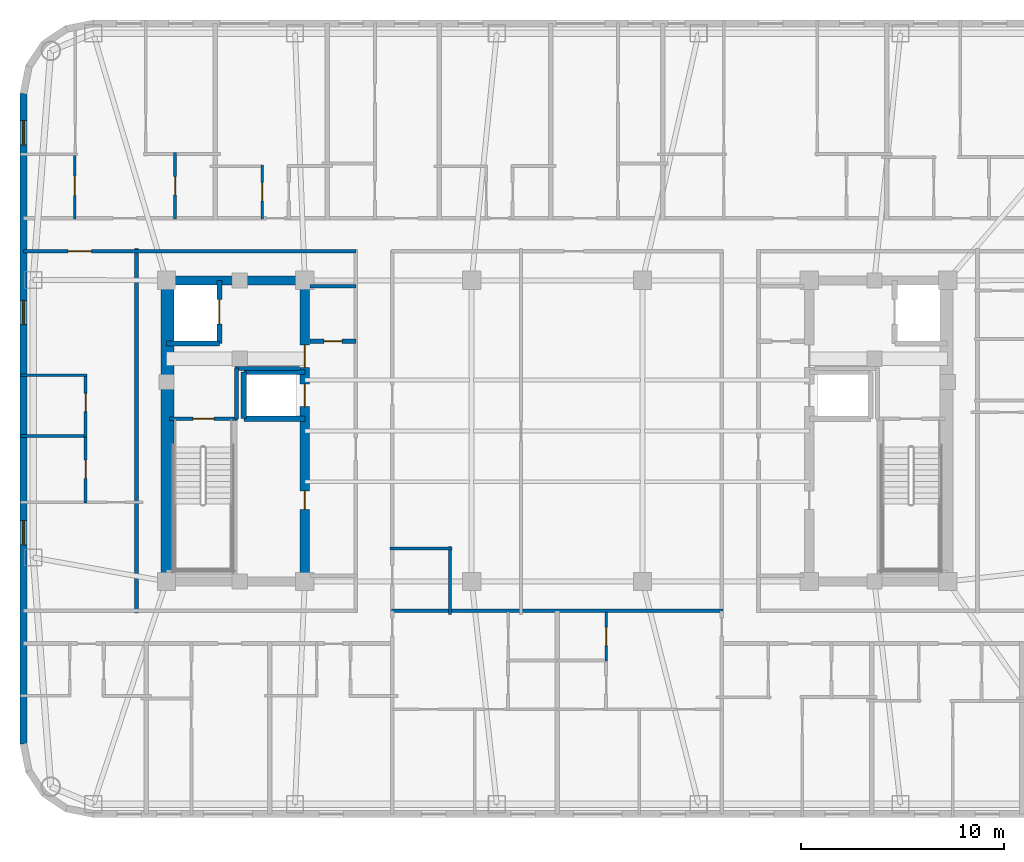
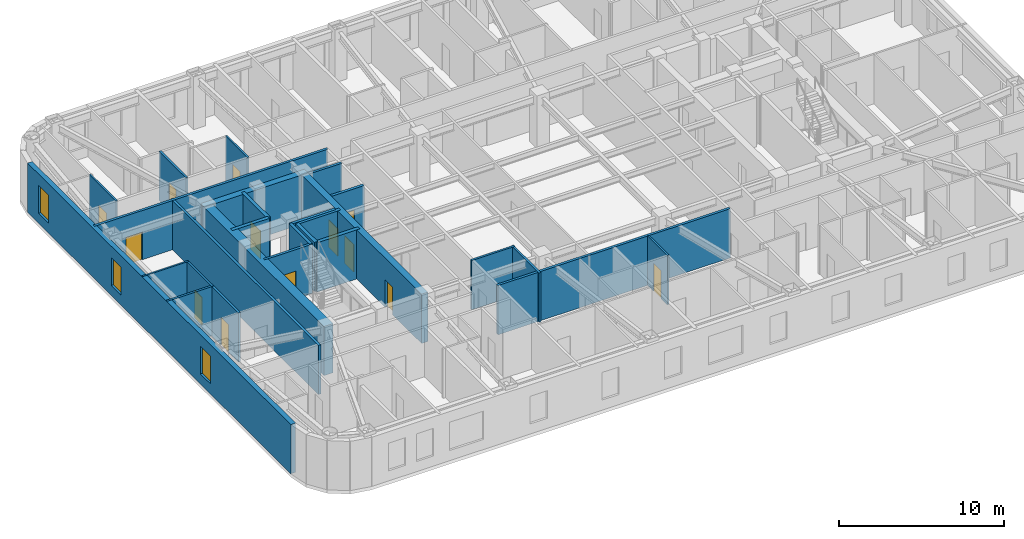
# One storey, part 4 of 11: 27 walls, 13 doors, 3 windows, 16 openings.
"""IFC4 building model written with IfcOpenShell, lengths in metres."""

from ifc_helpers import new_model, si_unit, direction, frame, frame_2d, origin, place, context, subcontext, project, spatial, rectangle, extrude, material, layer, layer_set, type_object, element, fill, save


model = new_model("IFC4")

# Units and contexts
model_context = context("Model", 3, precision=1e-05, world=origin(), true_north=direction((0.0, 1.0)))
body_context = subcontext(model_context, "Body", "Model", "MODEL_VIEW")
ifc_project = project(units=[si_unit("LENGTHUNIT", "METRE"), si_unit("AREAUNIT", "SQUARE_METRE"), si_unit("VOLUMEUNIT", "CUBIC_METRE"), si_unit("PLANEANGLEUNIT", "RADIAN"), si_unit("MASSUNIT", "GRAM", prefix="KILO")], contexts=[model_context])

# Site, building, storey
site_placement = place(None, origin())
site = spatial("IfcSite", under=ifc_project, at=site_placement, CompositionType="ELEMENT")
building_placement = place(site_placement, origin())
building = spatial("IfcBuilding", under=site, at=building_placement, Name="Voryun Gate Residences", CompositionType="ELEMENT")
storey_placement = place(building_placement, frame((0.0, 0.0, 239.199951171875)))
storey = spatial("IfcBuildingStorey", under=building, at=storey_placement, Name="L59", CompositionType="ELEMENT", Elevation=239.199951171875)

# Wall
ifc_material_1 = material(Name="Concrete C50/60", Category="concrete")
ifc_layer_1 = layer(ifc_material_1, 0.449951171875, Name="CW_CORE_450")
ifc_layer_set_1 = layer_set([ifc_layer_1], Name="Concrete C50/60")
wall_type_1 = type_object("IfcWallType", Name="CW_CORE_450", PredefinedType="SHEAR", material=ifc_layer_set_1)
wall_1_placement = place(storey_placement, frame((-19.425048828125, 7.39990234375, 0.0), z_axis=(0.0, 0.0, 1.0), x_axis=(1.0, 0.0, 0.0)))
element("IfcWall", 1, at=wall_1_placement, inside=storey, type_object=wall_type_1, Name="L59 Core shear wall CW-L59-WN", PredefinedType="SHEAR", context=body_context, shape_type="SweptSolid", body=[
    extrude(rectangle(XDim=7.25, YDim=0.449951171875, at=frame_2d((3.625, 0.0))), origin(), (0.0, 0.0, 1.0), 3.650146484375),
])

# Wall, openings, doors
wall_2_placement = place(storey_placement, frame((-12.39990234375, -7.39990234375, 0.0), z_axis=(0.0, 0.0, 1.0), x_axis=(0.0, 1.0, 0.0)))
wall_2 = element("IfcWall", 2, at=wall_2_placement, inside=storey, type_object=wall_type_1, Name="L59 Core shear wall CW-L59-WE", PredefinedType="SHEAR", context=body_context, shape_type="SweptSolid", body=[
    extrude(rectangle(XDim=14.7998046875, YDim=0.449951171875, at=frame_2d((7.39990234375, 0.0))), origin(), (0.0, 0.0, 1.0), 3.650146484375),
])
opening_1_placement = place(wall_2_placement, frame((8.60009765625, 0.0, 0.0)))
opening_1 = element("IfcOpeningElement", 3, at=opening_1_placement, cuts=wall_2, Name="Opening LD2", PredefinedType="OPENING", context=body_context, shape_type="SweptSolid", body=[
    extrude(rectangle(XDim=1.10009765625, YDim=2.050048828125, at=frame_2d((0.550048828125, 1.02490234375))), frame((0.0, 0.235107421875, 0.0), z_axis=(0.0, -1.0, 0.0), x_axis=(1.0, 0.0, 0.0)), (0.0, 0.0, 1.0), 0.469970703125),
])
opening_2_placement = place(wall_2_placement, frame((10.530029296875, 0.0, 0.0)))
opening_2 = element("IfcOpeningElement", 4, at=opening_2_placement, cuts=wall_2, Name="Opening D-FD60-2", PredefinedType="OPENING", context=body_context, shape_type="SweptSolid", body=[
    extrude(rectangle(XDim=1.10009765625, YDim=2.050048828125, at=frame_2d((0.550048828125, 1.02490234375))), frame((0.0, 0.235107421875, 0.0), z_axis=(0.0, -1.0, 0.0), x_axis=(1.0, 0.0, 0.0)), (0.0, 0.0, 1.0), 0.469970703125),
])
opening_3_placement = place(wall_2_placement, frame((3.550048828125, 0.0, 0.0)))
opening_3 = element("IfcOpeningElement", 5, at=opening_3_placement, cuts=wall_2, Name="Opening D-FD60-4", PredefinedType="OPENING", context=body_context, shape_type="SweptSolid", body=[
    extrude(rectangle(XDim=0.89990234375, YDim=2.050048828125, at=frame_2d((0.449951171875, 1.02490234375))), frame((0.0, 0.235107421875, 0.0), z_axis=(0.0, -1.0, 0.0), x_axis=(1.0, 0.0, 0.0)), (0.0, 0.0, 1.0), 0.469970703125),
])
ifc_material_2 = material(Name="Painted steel fire door", Category="steel")
door_type_1 = type_object("IfcDoorType", Name="DR_FD60_FFLOB_1100", OperationType="NOTDEFINED", PredefinedType="DOOR", material=ifc_material_2)
door_1_placement = place(opening_2_placement, origin())
door_1 = element("IfcDoor", 6, at=door_1_placement, inside=storey, type_object=door_type_1, Name="Door DR-L59-CLOB-W", OperationType="SINGLE_SWING_LEFT", OverallHeight=2.050048828125, OverallWidth=1.10009765625, PredefinedType="DOOR", context=body_context, shape_type="SweptSolid", body=[
    extrude(rectangle(XDim=1.10009765625, YDim=2.050048828125, at=frame_2d((0.550048828125, 1.02490234375))), frame((0.0, 0.02490234375, 0.0), z_axis=(0.0, -1.0, 0.0), x_axis=(1.0, 0.0, 0.0)), (0.0, 0.0, 1.0), 0.050048828125),
])
fill(opening_2, door_1)
ifc_material_3 = material(Name="Painted steel fire door", Category="steel")
door_type_2 = type_object("IfcDoorType", Name="DR_FD60_RISER_900", OperationType="NOTDEFINED", PredefinedType="DOOR", material=ifc_material_3)
door_2_placement = place(opening_3_placement, origin())
door_2 = element("IfcDoor", 7, at=door_2_placement, inside=storey, type_object=door_type_2, Name="Door DR-L59-RECW-HI", OperationType="SINGLE_SWING_LEFT", OverallHeight=2.050048828125, OverallWidth=0.89990234375, PredefinedType="DOOR", context=body_context, shape_type="SweptSolid", body=[
    extrude(rectangle(XDim=0.89990234375, YDim=2.050048828125, at=frame_2d((0.449951171875, 1.02490234375))), frame((0.0, 0.02490234375, 0.0), z_axis=(0.0, -1.0, 0.0), x_axis=(1.0, 0.0, 0.0)), (0.0, 0.0, 1.0), 0.050048828125),
])
fill(opening_3, door_2)
ifc_material_4 = material(Name="Anodised aluminium", Category="aluminium")
door_type_3 = type_object("IfcDoorType", Name="DR_LD_PASS_1100", OperationType="NOTDEFINED", PredefinedType="DOOR", material=ifc_material_4)
door_3_placement = place(opening_1_placement, origin())
door_3 = element("IfcDoor", 8, at=door_3_placement, inside=storey, type_object=door_type_3, Name="Lift EL-P7 sliding landing door L59", OperationType="SLIDING_TO_LEFT", OverallHeight=2.050048828125, OverallWidth=1.10009765625, PredefinedType="DOOR", context=body_context, shape_type="SweptSolid", body=[
    extrude(rectangle(XDim=1.10009765625, YDim=2.050048828125, at=frame_2d((0.550048828125, 1.02490234375))), frame((0.0, 0.02490234375, 0.0), z_axis=(0.0, -1.0, 0.0), x_axis=(1.0, 0.0, 0.0)), (0.0, 0.0, 1.0), 0.050048828125),
])
fill(opening_1, door_3)

# Wall
ifc_material_5 = material(Name="Concrete C60/75", Category="concrete")
ifc_layer_2 = layer(ifc_material_5, 0.64990234375, Name="CW_CORE_650")
ifc_layer_set_2 = layer_set([ifc_layer_2], Name="Concrete C60/75")
wall_type_2 = type_object("IfcWallType", Name="CW_CORE_650", PredefinedType="SHEAR", material=ifc_layer_set_2)
wall_3_placement = place(storey_placement, frame((-19.14501953125, -7.39990234375, 0.0), z_axis=(0.0, 0.0, 1.0), x_axis=(0.0, 1.0, 0.0)))
element("IfcWall", 9, at=wall_3_placement, inside=storey, type_object=wall_type_2, Name="L59 Core shear wall CW-L59-WW", PredefinedType="SHEAR", context=body_context, shape_type="SweptSolid", body=[
    extrude(rectangle(XDim=14.7998046875, YDim=0.64990234375, at=frame_2d((7.39990234375, 0.0))), origin(), (0.0, 0.0, 1.0), 3.650146484375),
])

# Wall, opening, door
ifc_material_6 = material(Name="Gypsum acoustic fireboard")
ifc_layer_3 = layer(ifc_material_6, 0.179931640625, Name="W_CORR_RATED_180")
ifc_layer_set_3 = layer_set([ifc_layer_3], Name="Gypsum acoustic fireboard")
wall_type_3 = type_object("IfcWallType", Name="W_CORR_RATED_180", PredefinedType="PARTITIONING", material=ifc_layer_set_3)
wall_4_placement = place(storey_placement, frame((-19.06005859375, 0.60009765625, 0.0), z_axis=(0.0, 0.0, 1.0), x_axis=(1.0, 0.0, 0.0)))
wall_4 = element("IfcWall", 10, at=wall_4_placement, inside=storey, type_object=wall_type_3, Name="Partition wall WP-L59-STV-W", PredefinedType="PARTITIONING", context=body_context, shape_type="SweptSolid", body=[
    extrude(rectangle(XDim=3.360107421875, YDim=0.179931640625, at=frame_2d((1.68017578125, 0.0))), origin(), (0.0, 0.0, 1.0), 3.650146484375),
])
opening_4_placement = place(wall_4_placement, frame((1.155029296875, 0.0, 0.0)))
opening_4 = element("IfcOpeningElement", 11, at=opening_4_placement, cuts=wall_4, Name="Opening D-FD60-1", PredefinedType="OPENING", context=body_context, shape_type="SweptSolid", body=[
    extrude(rectangle(XDim=1.050048828125, YDim=2.050048828125, at=frame_2d((0.52490234375, 1.02490234375))), frame((0.0, 0.099853515625, 0.0), z_axis=(0.0, -1.0, 0.0), x_axis=(1.0, 0.0, 0.0)), (0.0, 0.0, 1.0), 0.199951171875),
])
ifc_material_7 = material(Name="Painted steel fire door", Category="steel")
door_type_4 = type_object("IfcDoorType", Name="DR_FD60_STAIR_1050", OperationType="NOTDEFINED", PredefinedType="DOOR", material=ifc_material_7)
door_4_placement = place(opening_4_placement, origin())
door_4 = element("IfcDoor", 12, at=door_4_placement, inside=storey, type_object=door_type_4, Name="Door DR-L59-ST-W", OperationType="SINGLE_SWING_LEFT", OverallHeight=2.050048828125, OverallWidth=1.050048828125, PredefinedType="DOOR", context=body_context, shape_type="SweptSolid", body=[
    extrude(rectangle(XDim=1.050048828125, YDim=2.050048828125, at=frame_2d((0.52490234375, 1.02490234375))), frame((0.0, 0.02490234375, 0.0), z_axis=(0.0, -1.0, 0.0), x_axis=(1.0, 0.0, 0.0)), (0.0, 0.0, 1.0), 0.050048828125),
])
fill(opening_4, door_4)

# Wall
wall_5_placement = place(storey_placement, frame((-12.14990234375, 7.1201171875, 0.0), z_axis=(0.0, 0.0, 1.0), x_axis=(1.0, 0.0, 0.0)))
element("IfcWall", 13, at=wall_5_placement, inside=storey, type_object=wall_type_3, Name="Partition wall WP-L59-PLBN-W", PredefinedType="PARTITIONING", context=body_context, shape_type="SweptSolid", body=[
    extrude(rectangle(XDim=2.27001953125, YDim=0.179931640625, at=frame_2d((1.135009765625, 0.0))), origin(), (0.0, 0.0, 1.0), 3.650146484375),
])

# Wall, opening, door
wall_6_placement = place(storey_placement, frame((-26.22998046875, 8.840087890625, 0.0), z_axis=(0.0, 0.0, 1.0), x_axis=(1.0, 0.0, 0.0)))
wall_6 = element("IfcWall", 14, at=wall_6_placement, inside=storey, type_object=wall_type_3, Name="Partition wall WP-L59-CWING-WN", PredefinedType="PARTITIONING", context=body_context, shape_type="SweptSolid", body=[
    extrude(rectangle(XDim=16.35009765625, YDim=0.179931640625, at=frame_2d((8.175048828125, 0.0))), origin(), (0.0, 0.0, 1.0), 3.650146484375),
])
opening_5_placement = place(wall_6_placement, frame((2.19970703125, 0.0, 0.0)))
opening_5 = element("IfcOpeningElement", 15, at=opening_5_placement, cuts=wall_6, Name="Opening D-UNIT-1", PredefinedType="OPENING", context=body_context, shape_type="SweptSolid", body=[
    extrude(rectangle(XDim=1.14990234375, YDim=2.050048828125, at=frame_2d((0.574951171875, 1.02490234375))), frame((0.0, 0.099853515625, 0.0), z_axis=(0.0, -1.0, 0.0), x_axis=(1.0, 0.0, 0.0)), (0.0, 0.0, 1.0), 0.199951171875),
])
ifc_material_8 = material(Name="Armoured timber-clad fire door", Category="wood")
door_type_5 = type_object("IfcDoorType", Name="DR_UNIT_ENTRY_1150", OperationType="NOTDEFINED", PredefinedType="DOOR", material=ifc_material_8)
door_5_placement = place(opening_5_placement, origin())
door_5 = element("IfcDoor", 16, at=door_5_placement, inside=storey, type_object=door_type_5, Name="Door DR-L59-WE1N", OperationType="SINGLE_SWING_LEFT", OverallHeight=2.050048828125, OverallWidth=1.14990234375, PredefinedType="DOOR", context=body_context, shape_type="SweptSolid", body=[
    extrude(rectangle(XDim=1.14990234375, YDim=2.050048828125, at=frame_2d((0.574951171875, 1.02490234375))), frame((0.0, 0.02490234375, 0.0), z_axis=(0.0, -1.0, 0.0), x_axis=(1.0, 0.0, 0.0)), (0.0, 0.0, 1.0), 0.050048828125),
])
fill(opening_5, door_5)

# Walls
wall_7_placement = place(storey_placement, frame((-8.14990234375, -8.840087890625, 0.0), z_axis=(0.0, 0.0, 1.0), x_axis=(1.0, 0.0, 0.0)))
element("IfcWall", 17, at=wall_7_placement, inside=storey, type_object=wall_type_3, Name="Partition wall WP-L59-Z3S", PredefinedType="PARTITIONING", context=body_context, shape_type="SweptSolid", body=[
    extrude(rectangle(XDim=16.2998046875, YDim=0.179931640625, at=frame_2d((8.14990234375, 0.0))), origin(), (0.0, 0.0, 1.0), 3.650146484375),
])
wall_8_placement = place(storey_placement, frame((-20.669921875, -8.9599609375, 0.0), z_axis=(0.0, 0.0, 1.0), x_axis=(0.0, 1.0, 0.0)))
element("IfcWall", 18, at=wall_8_placement, inside=storey, type_object=wall_type_3, Name="Partition wall WP-L59-WCOR", PredefinedType="PARTITIONING", context=body_context, shape_type="SweptSolid", body=[
    extrude(rectangle(XDim=17.919921875, YDim=0.179931640625, at=frame_2d((8.9599609375, 0.0))), origin(), (0.0, 0.0, 1.0), 3.650146484375),
])

# Wall, openings, windows
ifc_material_9 = material(Name="Charcoal terracotta masonry", Category="masonry")
ifc_layer_4 = layer(ifc_material_9, 0.340087890625, Name="W_EXT_TERRACOTTA_340")
ifc_layer_set_4 = layer_set([ifc_layer_4], Name="Charcoal terracotta masonry")
wall_type_4 = type_object("IfcWallType", Name="W_EXT_TERRACOTTA_340", PredefinedType="ELEMENTEDWALL", material=ifc_layer_set_4)
wall_9_placement = place(storey_placement, frame((-26.22998046875, -15.38330078125, 0.0), z_axis=(0.0, 0.0, 1.0), x_axis=(0.0, 1.0, 0.0)))
wall_9 = element("IfcWall", 19, at=wall_9_placement, inside=storey, type_object=wall_type_4, Name="Exterior wall WEXT-L59-06", PredefinedType="ELEMENTEDWALL", context=body_context, shape_type="SweptSolid", body=[
    extrude(rectangle(XDim=31.966552734375, YDim=0.340087890625, at=frame_2d((15.9833984375, 0.0))), origin(), (0.0, 0.0, 1.0), 3.650146484375),
])
opening_6_placement = place(wall_9_placement, frame((29.431396484375, 0.0, 0.75)))
opening_6 = element("IfcOpeningElement", 20, at=opening_6_placement, cuts=wall_9, Name="Opening WN6", PredefinedType="OPENING", context=body_context, shape_type="SweptSolid", body=[
    extrude(rectangle(XDim=1.199951171875, YDim=2.050048828125, at=frame_2d((0.60009765625, 1.02490234375))), frame((0.0, 0.179931640625, 0.0), z_axis=(0.0, -1.0, 0.0), x_axis=(1.0, 0.0, 0.0)), (0.0, 0.0, 1.0), 0.360107421875),
])
opening_7_placement = place(wall_9_placement, frame((20.603271484375, 0.0, 0.75)))
opening_7 = element("IfcOpeningElement", 21, at=opening_7_placement, cuts=wall_9, Name="Opening WN6", PredefinedType="OPENING", context=body_context, shape_type="SweptSolid", body=[
    extrude(rectangle(XDim=1.199951171875, YDim=2.050048828125, at=frame_2d((0.60009765625, 1.02490234375))), frame((0.0, 0.179931640625, 0.0), z_axis=(0.0, -1.0, 0.0), x_axis=(1.0, 0.0, 0.0)), (0.0, 0.0, 1.0), 0.360107421875),
])
opening_8_placement = place(wall_9_placement, frame((9.7783203125, 0.0, 0.75)))
opening_8 = element("IfcOpeningElement", 22, at=opening_8_placement, cuts=wall_9, Name="Opening WN6", PredefinedType="OPENING", context=body_context, shape_type="SweptSolid", body=[
    extrude(rectangle(XDim=1.199951171875, YDim=2.050048828125, at=frame_2d((0.60009765625, 1.02490234375))), frame((0.0, 0.179931640625, 0.0), z_axis=(0.0, -1.0, 0.0), x_axis=(1.0, 0.0, 0.0)), (0.0, 0.0, 1.0), 0.360107421875),
])
ifc_material_10 = material(Name="Laminated low-E glass", Category="glass")
window_type = type_object("IfcWindowType", Name="WN_POD_SLOT_1200", PartitioningType="SINGLE_PANEL", PredefinedType="WINDOW", material=ifc_material_10)
window_1_placement = place(opening_6_placement, origin())
window_1 = element("IfcWindow", 23, at=window_1_placement, inside=storey, type_object=window_type, Name="Window WN-L59-DWFIX-02", OverallHeight=2.050048828125, OverallWidth=1.199951171875, PartitioningType="SINGLE_PANEL", PredefinedType="WINDOW", context=body_context, shape_type="SweptSolid", body=[
    extrude(rectangle(XDim=1.199951171875, YDim=2.050048828125, at=frame_2d((0.60009765625, 1.02490234375))), frame((0.0, 0.030029296875, 0.0), z_axis=(0.0, -1.0, 0.0), x_axis=(1.0, 0.0, 0.0)), (0.0, 0.0, 1.0), 0.06005859375),
])
fill(opening_6, window_1)
window_2_placement = place(opening_7_placement, origin())
window_2 = element("IfcWindow", 24, at=window_2_placement, inside=storey, type_object=window_type, Name="Window WN-L59-DWFIX-27", OverallHeight=2.050048828125, OverallWidth=1.199951171875, PartitioningType="SINGLE_PANEL", PredefinedType="WINDOW", context=body_context, shape_type="SweptSolid", body=[
    extrude(rectangle(XDim=1.199951171875, YDim=2.050048828125, at=frame_2d((0.60009765625, 1.02490234375))), frame((0.0, 0.030029296875, 0.0), z_axis=(0.0, -1.0, 0.0), x_axis=(1.0, 0.0, 0.0)), (0.0, 0.0, 1.0), 0.06005859375),
])
fill(opening_7, window_2)
window_3_placement = place(opening_8_placement, origin())
window_3 = element("IfcWindow", 25, at=window_3_placement, inside=storey, type_object=window_type, Name="Window WN-L59-DWFIX-28", OverallHeight=2.050048828125, OverallWidth=1.199951171875, PartitioningType="SINGLE_PANEL", PredefinedType="WINDOW", context=body_context, shape_type="SweptSolid", body=[
    extrude(rectangle(XDim=1.199951171875, YDim=2.050048828125, at=frame_2d((0.60009765625, 1.02490234375))), frame((0.0, 0.030029296875, 0.0), z_axis=(0.0, -1.0, 0.0), x_axis=(1.0, 0.0, 0.0)), (0.0, 0.0, 1.0), 0.06005859375),
])
fill(opening_8, window_3)

# Walls
ifc_material_11 = material(Name="Concrete C40/50", Category="concrete")
ifc_layer_5 = layer(ifc_material_11, 0.199951171875, Name="W_FF_LOBBY_200")
ifc_layer_set_5 = layer_set([ifc_layer_5], Name="Concrete C40/50")
wall_type_5 = type_object("IfcWallType", Name="W_FF_LOBBY_200", PredefinedType="PARTITIONING", material=ifc_layer_set_5)
wall_10_placement = place(storey_placement, frame((-15.760009765625, 0.580078125, 0.0), z_axis=(0.0, 0.0, 1.0), x_axis=(0.0, 1.0, 0.0)))
element("IfcWall", 26, at=wall_10_placement, inside=storey, type_object=wall_type_5, Name="Partition wall WP-L59-FFP0-W", PredefinedType="PARTITIONING", context=body_context, shape_type="SweptSolid", body=[
    extrude(rectangle(XDim=2.52001953125, YDim=0.199951171875, at=frame_2d((1.260009765625, 0.0))), origin(), (0.0, 0.0, 1.0), 3.650146484375),
])
wall_11_placement = place(storey_placement, frame((-15.820068359375, 3.06005859375, 0.0), z_axis=(0.0, 0.0, 1.0), x_axis=(1.0, 0.0, 0.0)))
element("IfcWall", 27, at=wall_11_placement, inside=storey, type_object=wall_type_5, Name="Partition wall WP-L59-FFPS-W", PredefinedType="PARTITIONING", context=body_context, shape_type="SweptSolid", body=[
    extrude(rectangle(XDim=3.16015625, YDim=0.199951171875, at=frame_2d((1.580078125, 0.0))), origin(), (0.0, 0.0, 1.0), 3.650146484375),
])

# Wall, opening, door
wall_12_placement = place(storey_placement, frame((-12.14990234375, 4.409912109375, 0.0), z_axis=(0.0, 0.0, 1.0), x_axis=(1.0, 0.0, 0.0)))
wall_12 = element("IfcWall", 28, at=wall_12_placement, inside=storey, type_object=wall_type_5, Name="Partition wall WP-L59-CSFLKS-W", PredefinedType="PARTITIONING", context=body_context, shape_type="SweptSolid", body=[
    extrude(rectangle(XDim=2.27001953125, YDim=0.199951171875, at=frame_2d((1.135009765625, 0.0))), origin(), (0.0, 0.0, 1.0), 3.650146484375),
])
opening_9_placement = place(wall_12_placement, frame((0.68505859375, 0.0, 0.0)))
opening_9 = element("IfcOpeningElement", 29, at=opening_9_placement, cuts=wall_12, Name="Opening D-FD60-4", PredefinedType="OPENING", context=body_context, shape_type="SweptSolid", body=[
    extrude(rectangle(XDim=0.89990234375, YDim=2.050048828125, at=frame_2d((0.449951171875, 1.02490234375))), frame((0.0, 0.110107421875, 0.0), z_axis=(0.0, -1.0, 0.0), x_axis=(1.0, 0.0, 0.0)), (0.0, 0.0, 1.0), 0.219970703125),
])
door_6_placement = place(opening_9_placement, origin())
door_6 = element("IfcDoor", 30, at=door_6_placement, inside=storey, type_object=door_type_2, Name="Door DR-L59-CSFLK-W", OperationType="SINGLE_SWING_LEFT", OverallHeight=2.050048828125, OverallWidth=0.89990234375, PredefinedType="DOOR", context=body_context, shape_type="SweptSolid", body=[
    extrude(rectangle(XDim=0.89990234375, YDim=2.050048828125, at=frame_2d((0.449951171875, 1.02490234375))), frame((0.0, 0.02490234375, 0.0), z_axis=(0.0, -1.0, 0.0), x_axis=(1.0, 0.0, 0.0)), (0.0, 0.0, 1.0), 0.050048828125),
])
fill(opening_9, door_6)

# Wall
ifc_material_12 = material(Name="Concrete C50/60", Category="concrete")
ifc_layer_6 = layer(ifc_material_12, 0.25, Name="W_SHAFT_RC250")
ifc_layer_set_6 = layer_set([ifc_layer_6], Name="Concrete C50/60")
wall_type_6 = type_object("IfcWallType", Name="W_SHAFT_RC250", PredefinedType="SOLIDWALL", material=ifc_layer_set_6)
wall_13_placement = place(storey_placement, frame((-19.199951171875, 4.300048828125, 0.0), z_axis=(0.0, 0.0, 1.0), x_axis=(1.0, 0.0, 0.0)))
element("IfcWall", 31, at=wall_13_placement, inside=storey, type_object=wall_type_6, Name="Lift shaft wall WSH-L59-EL-FF-W1-S", PredefinedType="SOLIDWALL", context=body_context, shape_type="SweptSolid", body=[
    extrude(rectangle(XDim=2.599853515625, YDim=0.25, at=frame_2d((1.2998046875, 0.0))), origin(), (0.0, 0.0, 1.0), 3.650146484375),
])

# Wall, opening, door
wall_14_placement = place(storey_placement, frame((-16.60009765625, 4.300048828125, 0.0), z_axis=(0.0, 0.0, 1.0), x_axis=(0.0, 1.0, 0.0)))
wall_14 = element("IfcWall", 32, at=wall_14_placement, inside=storey, type_object=wall_type_6, Name="Lift shaft wall WSH-L59-EL-FF-W1-E", PredefinedType="SOLIDWALL", context=body_context, shape_type="SweptSolid", body=[
    extrude(rectangle(XDim=3.099853515625, YDim=0.25, at=frame_2d((1.5498046875, 0.0))), origin(), (0.0, 0.0, 1.0), 3.650146484375),
])
opening_10_placement = place(wall_14_placement, frame((0.949951171875, 0.0, 0.0)))
opening_10 = element("IfcOpeningElement", 33, at=opening_10_placement, cuts=wall_14, Name="Opening LD1", PredefinedType="OPENING", context=body_context, shape_type="SweptSolid", body=[
    extrude(rectangle(XDim=1.199951171875, YDim=2.050048828125, at=frame_2d((0.60009765625, 1.02490234375))), frame((0.0, 0.135009765625, 0.0), z_axis=(0.0, -1.0, 0.0), x_axis=(1.0, 0.0, 0.0)), (0.0, 0.0, 1.0), 0.27001953125),
])
ifc_material_13 = material(Name="Anodised aluminium", Category="aluminium")
door_type_6 = type_object("IfcDoorType", Name="DR_LD_FF_1200", OperationType="NOTDEFINED", PredefinedType="DOOR", material=ifc_material_13)
door_7_placement = place(opening_10_placement, origin())
door_7 = element("IfcDoor", 34, at=door_7_placement, inside=storey, type_object=door_type_6, Name="Lift EL-FF-W1 sliding landing door L59", OperationType="SLIDING_TO_LEFT", OverallHeight=2.050048828125, OverallWidth=1.199951171875, PredefinedType="DOOR", context=body_context, shape_type="SweptSolid", body=[
    extrude(rectangle(XDim=1.199951171875, YDim=2.050048828125, at=frame_2d((0.60009765625, 1.02490234375))), frame((0.0, 0.02490234375, 0.0), z_axis=(0.0, -1.0, 0.0), x_axis=(1.0, 0.0, 0.0)), (0.0, 0.0, 1.0), 0.050048828125),
])
fill(opening_10, door_7)

# Walls
for number, where, z_axis, x_axis, name in (
    (35, (-15.39990234375, 0.60009765625, 0.0), (0.0, 0.0, 1.0), (1.0, 0.0, 0.0), "Lift shaft wall WSH-L59-EL-P7-S"),
    (36, (-12.39990234375, 2.89990234375, 0.0), (0.0, 0.0, 1.0), (-1.0, 0.0, 0.0), "Lift shaft wall WSH-L59-EL-P7-N"),
):
    element("IfcWall", number, at=place(storey_placement, frame(where, z_axis=z_axis, x_axis=x_axis)), inside=storey, type_object=wall_type_6, Name=name, PredefinedType="SOLIDWALL", context=body_context, shape_type="SweptSolid", body=[
        extrude(rectangle(XDim=3.0, YDim=0.25, at=frame_2d((1.5, 0.0))), origin(), (0.0, 0.0, 1.0), 3.650146484375),
    ])
wall_15_placement = place(storey_placement, frame((-15.39990234375, 2.89990234375, 0.0), z_axis=(0.0, 0.0, 1.0), x_axis=(0.0, -1.0, 0.0)))
element("IfcWall", 37, at=wall_15_placement, inside=storey, type_object=wall_type_6, Name="Lift shaft wall WSH-L59-EL-P7-W", PredefinedType="SOLIDWALL", context=body_context, shape_type="SweptSolid", body=[
    extrude(rectangle(XDim=2.2998046875, YDim=0.25, at=frame_2d((1.14990234375, 0.0))), origin(), (0.0, 0.0, 1.0), 3.650146484375),
])

# Wall, opening, door
ifc_material_14 = material(Name="Gypsum acoustic partition")
ifc_layer_7 = layer(ifc_material_14, 0.125, Name="W_UNIT_PART_125")
ifc_layer_set_7 = layer_set([ifc_layer_7], Name="Gypsum acoustic partition")
wall_type_7 = type_object("IfcWallType", Name="W_UNIT_PART_125", PredefinedType="PARTITIONING", material=ifc_layer_set_7)
wall_16_placement = place(storey_placement, frame((-23.705078125, 10.429931640625, 0.0), z_axis=(0.0, 0.0, 1.0), x_axis=(0.0, 1.0, 0.0)))
wall_16 = element("IfcWall", 38, at=wall_16_placement, inside=storey, type_object=wall_type_7, Name="Partition wall WP-L59-N1-IVK", PredefinedType="PARTITIONING", context=body_context, shape_type="SweptSolid", body=[
    extrude(rectangle(XDim=3.235595703125, YDim=0.125, at=frame_2d((1.61767578125, 0.0))), origin(), (0.0, 0.0, 1.0), 3.650146484375),
])
opening_11_placement = place(wall_16_placement, frame((1.151611328125, 0.0, 0.0)))
opening_11 = element("IfcOpeningElement", 39, at=opening_11_placement, cuts=wall_16, Name="Opening D-INT-1", PredefinedType="OPENING", context=body_context, shape_type="SweptSolid", body=[
    extrude(rectangle(XDim=0.949951171875, YDim=2.050048828125, at=frame_2d((0.47509765625, 1.02490234375))), frame((0.0, 0.072509765625, 0.0), z_axis=(0.0, -1.0, 0.0), x_axis=(1.0, 0.0, 0.0)), (0.0, 0.0, 1.0), 0.14501953125),
])
ifc_material_15 = material(Name="Architectural oak veneer")
door_type_7 = type_object("IfcDoorType", Name="DR_INT_ROOM_950", OperationType="NOTDEFINED", PredefinedType="DOOR", material=ifc_material_15)
door_8_placement = place(opening_11_placement, origin())
door_8 = element("IfcDoor", 40, at=door_8_placement, inside=storey, type_object=door_type_7, Name="Door DR-L59-N1-DK", OperationType="SINGLE_SWING_LEFT", OverallHeight=2.050048828125, OverallWidth=0.949951171875, PredefinedType="DOOR", context=body_context, shape_type="SweptSolid", body=[
    extrude(rectangle(XDim=0.949951171875, YDim=2.050048828125, at=frame_2d((0.47509765625, 1.02490234375))), frame((0.0, 0.02490234375, 0.0), z_axis=(0.0, -1.0, 0.0), x_axis=(1.0, 0.0, 0.0)), (0.0, 0.0, 1.0), 0.050048828125),
])
fill(opening_11, door_8)

wall_17_placement = place(storey_placement, frame((-14.489990234375, 10.429931640625, 0.0), z_axis=(0.0, 0.0, 1.0), x_axis=(0.0, 1.0, 0.0)))
wall_17 = element("IfcWall", 41, at=wall_17_placement, inside=storey, type_object=wall_type_7, Name="Partition wall WP-L59-N2-CVK", PredefinedType="PARTITIONING", context=body_context, shape_type="SweptSolid", body=[
    extrude(rectangle(XDim=2.650146484375, YDim=0.125, at=frame_2d((1.3251953125, 0.0))), origin(), (0.0, 0.0, 1.0), 3.650146484375),
])
opening_12_placement = place(wall_17_placement, frame((0.875, 0.0, 0.0)))
opening_12 = element("IfcOpeningElement", 42, at=opening_12_placement, cuts=wall_17, Name="Opening D-INT-2", PredefinedType="OPENING", context=body_context, shape_type="SweptSolid", body=[
    extrude(rectangle(XDim=0.89990234375, YDim=2.050048828125, at=frame_2d((0.449951171875, 1.02490234375))), frame((0.0, 0.072509765625, 0.0), z_axis=(0.0, -1.0, 0.0), x_axis=(1.0, 0.0, 0.0)), (0.0, 0.0, 1.0), 0.14501953125),
])
ifc_material_16 = material(Name="Architectural oak veneer")
door_type_8 = type_object("IfcDoorType", Name="DR_INT_BATH_900", OperationType="NOTDEFINED", PredefinedType="DOOR", material=ifc_material_16)
door_9_placement = place(opening_12_placement, origin())
door_9 = element("IfcDoor", 43, at=door_9_placement, inside=storey, type_object=door_type_8, Name="Door DR-L59-N2-DK", OperationType="SINGLE_SWING_LEFT", OverallHeight=2.050048828125, OverallWidth=0.89990234375, PredefinedType="DOOR", context=body_context, shape_type="SweptSolid", body=[
    extrude(rectangle(XDim=0.89990234375, YDim=2.050048828125, at=frame_2d((0.449951171875, 1.02490234375))), frame((0.0, 0.02490234375, 0.0), z_axis=(0.0, -1.0, 0.0), x_axis=(1.0, 0.0, 0.0)), (0.0, 0.0, 1.0), 0.050048828125),
])
fill(opening_12, door_9)

wall_18_placement = place(storey_placement, frame((2.409912109375, -11.31005859375, 0.0), z_axis=(0.0, 0.0, 1.0), x_axis=(0.0, 1.0, 0.0)))
wall_18 = element("IfcWall", 44, at=wall_18_placement, inside=storey, type_object=wall_type_7, Name="Partition wall WP-L59-SC2-VK1", PredefinedType="PARTITIONING", context=body_context, shape_type="SweptSolid", body=[
    extrude(rectangle(XDim=2.41015625, YDim=0.125, at=frame_2d((1.205078125, 0.0))), origin(), (0.0, 0.0, 1.0), 3.650146484375),
])
opening_13_placement = place(wall_18_placement, frame((0.7548828125, 0.0, 0.0)))
opening_13 = element("IfcOpeningElement", 45, at=opening_13_placement, cuts=wall_18, Name="Opening D-INT-2", PredefinedType="OPENING", context=body_context, shape_type="SweptSolid", body=[
    extrude(rectangle(XDim=0.89990234375, YDim=2.050048828125, at=frame_2d((0.449951171875, 1.02490234375))), frame((0.0, 0.072509765625, 0.0), z_axis=(0.0, -1.0, 0.0), x_axis=(1.0, 0.0, 0.0)), (0.0, 0.0, 1.0), 0.14501953125),
])
door_10_placement = place(opening_13_placement, origin())
door_10 = element("IfcDoor", 46, at=door_10_placement, inside=storey, type_object=door_type_8, Name="Door DR-L59-SC2-DK", OperationType="SINGLE_SWING_LEFT", OverallHeight=2.050048828125, OverallWidth=0.89990234375, PredefinedType="DOOR", context=body_context, shape_type="SweptSolid", body=[
    extrude(rectangle(XDim=0.89990234375, YDim=2.050048828125, at=frame_2d((0.449951171875, 1.02490234375))), frame((0.0, 0.02490234375, 0.0), z_axis=(0.0, -1.0, 0.0), x_axis=(1.0, 0.0, 0.0)), (0.0, 0.0, 1.0), 0.050048828125),
])
fill(opening_13, door_10)

# Walls
wall_19_placement = place(storey_placement, frame((-26.3798828125, 2.739990234375, 0.0), z_axis=(0.0, 0.0, 1.0), x_axis=(1.0, 0.0, 0.0)))
element("IfcWall", 47, at=wall_19_placement, inside=storey, type_object=wall_type_7, Name="Partition wall WP-L59-W1-HZ1", PredefinedType="PARTITIONING", context=body_context, shape_type="SweptSolid", body=[
    extrude(rectangle(XDim=3.284912109375, YDim=0.125, at=frame_2d((1.642578125, 0.0))), origin(), (0.0, 0.0, 1.0), 3.650146484375),
])
ifc_material_17 = material(Name="Gypsum moisture-resistant partition")
ifc_layer_8 = layer(ifc_material_17, 0.14990234375, Name="W_WET_PLUMB_150")
ifc_layer_set_8 = layer_set([ifc_layer_8], Name="Gypsum moisture-resistant partition")
wall_type_8 = type_object("IfcWallType", Name="W_WET_PLUMB_150", PredefinedType="PLUMBINGWALL", material=ifc_layer_set_8)
wall_20_placement = place(storey_placement, frame((-5.260009765625, -9.02001953125, 0.0), z_axis=(0.0, 0.0, 1.0), x_axis=(0.0, 1.0, 0.0)))
element("IfcWall", 48, at=wall_20_placement, inside=storey, type_object=wall_type_8, Name="Partition wall WP-L59-CMWCX", PredefinedType="PLUMBINGWALL", context=body_context, shape_type="SweptSolid", body=[
    extrude(rectangle(XDim=3.35009765625, YDim=0.14990234375, at=frame_2d((1.675048828125, 0.0))), origin(), (0.0, 0.0, 1.0), 3.650146484375),
])
wall_21_placement = place(storey_placement, frame((-8.2099609375, -5.77001953125, 0.0), z_axis=(0.0, 0.0, 1.0), x_axis=(1.0, 0.0, 0.0)))
element("IfcWall", 49, at=wall_21_placement, inside=storey, type_object=wall_type_8, Name="Partition wall WP-L59-CMWCY", PredefinedType="PLUMBINGWALL", context=body_context, shape_type="SweptSolid", body=[
    extrude(rectangle(XDim=3.050048828125, YDim=0.14990234375, at=frame_2d((1.52490234375, 0.0))), origin(), (0.0, 0.0, 1.0), 3.650146484375),
])

# Wall, opening, door
wall_22_placement = place(storey_placement, frame((-18.780029296875, 10.429931640625, 0.0), z_axis=(0.0, 0.0, 1.0), x_axis=(0.0, 1.0, 0.0)))
wall_22 = element("IfcWall", 50, at=wall_22_placement, inside=storey, type_object=wall_type_8, Name="Partition wall WP-L59-N1-IVB", PredefinedType="PLUMBINGWALL", context=body_context, shape_type="SweptSolid", body=[
    extrude(rectangle(XDim=3.253173828125, YDim=0.14990234375, at=frame_2d((1.62646484375, 0.0))), origin(), (0.0, 0.0, 1.0), 3.650146484375),
])
opening_14_placement = place(wall_22_placement, frame((1.176513671875, 0.0, 0.0)))
opening_14 = element("IfcOpeningElement", 51, at=opening_14_placement, cuts=wall_22, Name="Opening D-INT-2", PredefinedType="OPENING", context=body_context, shape_type="SweptSolid", body=[
    extrude(rectangle(XDim=0.89990234375, YDim=2.050048828125, at=frame_2d((0.449951171875, 1.02490234375))), frame((0.0, 0.0849609375, 0.0), z_axis=(0.0, -1.0, 0.0), x_axis=(1.0, 0.0, 0.0)), (0.0, 0.0, 1.0), 0.169921875),
])
door_11_placement = place(opening_14_placement, origin())
door_11 = element("IfcDoor", 52, at=door_11_placement, inside=storey, type_object=door_type_8, Name="Door DR-L59-N1-DB", OperationType="SINGLE_SWING_RIGHT", OverallHeight=2.050048828125, OverallWidth=0.89990234375, PredefinedType="DOOR", context=body_context, shape_type="SweptSolid", body=[
    extrude(rectangle(XDim=0.89990234375, YDim=2.050048828125, at=frame_2d((0.449951171875, 1.02490234375))), frame((0.0, 0.02490234375, 0.0), z_axis=(0.0, -1.0, 0.0), x_axis=(1.0, 0.0, 0.0)), (0.0, 0.0, 1.0), 0.050048828125),
])
fill(opening_14, door_11)

# Wall
wall_23_placement = place(storey_placement, frame((-26.3798828125, -0.260009765625, 0.0), z_axis=(0.0, 0.0, 1.0), x_axis=(1.0, 0.0, 0.0)))
element("IfcWall", 53, at=wall_23_placement, inside=storey, type_object=wall_type_8, Name="Partition wall WP-L59-W1-HZ2", PredefinedType="PLUMBINGWALL", context=body_context, shape_type="SweptSolid", body=[
    extrude(rectangle(XDim=3.284912109375, YDim=0.14990234375, at=frame_2d((1.642578125, 0.0))), origin(), (0.0, 0.0, 1.0), 3.650146484375),
])

# Wall, opening, door
wall_24_placement = place(storey_placement, frame((-23.175048828125, -3.550048828125, 0.0), z_axis=(0.0, 0.0, 1.0), x_axis=(0.0, 1.0, 0.0)))
wall_24 = element("IfcWall", 54, at=wall_24_placement, inside=storey, type_object=wall_type_8, Name="Partition wall WP-L59-W1-VKB1", PredefinedType="PLUMBINGWALL", context=body_context, shape_type="SweptSolid", body=[
    extrude(rectangle(XDim=3.330078125, YDim=0.14990234375, at=frame_2d((1.6650390625, 0.0))), origin(), (0.0, 0.0, 1.0), 3.650146484375),
])
opening_15_placement = place(wall_24_placement, frame((1.215087890625, 0.0, 0.0)))
opening_15 = element("IfcOpeningElement", 55, at=opening_15_placement, cuts=wall_24, Name="Opening D-INT-2", PredefinedType="OPENING", context=body_context, shape_type="SweptSolid", body=[
    extrude(rectangle(XDim=0.89990234375, YDim=2.050048828125, at=frame_2d((0.449951171875, 1.02490234375))), frame((0.0, 0.0849609375, 0.0), z_axis=(0.0, -1.0, 0.0), x_axis=(1.0, 0.0, 0.0)), (0.0, 0.0, 1.0), 0.169921875),
])
door_12_placement = place(opening_15_placement, origin())
door_12 = element("IfcDoor", 56, at=door_12_placement, inside=storey, type_object=door_type_8, Name="Door DR-L59-W1-DB", OperationType="SINGLE_SWING_LEFT", OverallHeight=2.050048828125, OverallWidth=0.89990234375, PredefinedType="DOOR", context=body_context, shape_type="SweptSolid", body=[
    extrude(rectangle(XDim=0.89990234375, YDim=2.050048828125, at=frame_2d((0.449951171875, 1.02490234375))), frame((0.0, 0.02490234375, 0.0), z_axis=(0.0, -1.0, 0.0), x_axis=(1.0, 0.0, 0.0)), (0.0, 0.0, 1.0), 0.050048828125),
])
fill(opening_15, door_12)

wall_25_placement = place(storey_placement, frame((-23.175048828125, -0.300048828125, 0.0), z_axis=(0.0, 0.0, 1.0), x_axis=(0.0, 1.0, 0.0)))
wall_25 = element("IfcWall", 57, at=wall_25_placement, inside=storey, type_object=wall_type_8, Name="Partition wall WP-L59-W1-VKB2", PredefinedType="PLUMBINGWALL", context=body_context, shape_type="SweptSolid", body=[
    extrude(rectangle(XDim=3.080078125, YDim=0.14990234375, at=frame_2d((1.5400390625, 0.0))), origin(), (0.0, 0.0, 1.0), 3.650146484375),
])
opening_16_placement = place(wall_25_placement, frame((1.243896484375, 0.0, 0.0)))
opening_16 = element("IfcOpeningElement", 58, at=opening_16_placement, cuts=wall_25, Name="Opening D-INT-2", PredefinedType="OPENING", context=body_context, shape_type="SweptSolid", body=[
    extrude(rectangle(XDim=0.89990234375, YDim=2.050048828125, at=frame_2d((0.449951171875, 1.02490234375))), frame((0.0, 0.0849609375, 0.0), z_axis=(0.0, -1.0, 0.0), x_axis=(1.0, 0.0, 0.0)), (0.0, 0.0, 1.0), 0.169921875),
])
door_13_placement = place(opening_16_placement, origin())
door_13 = element("IfcDoor", 59, at=door_13_placement, inside=storey, type_object=door_type_8, Name="Door DR-L59-W1-DK", OperationType="SINGLE_SWING_RIGHT", OverallHeight=2.050048828125, OverallWidth=0.89990234375, PredefinedType="DOOR", context=body_context, shape_type="SweptSolid", body=[
    extrude(rectangle(XDim=0.89990234375, YDim=2.050048828125, at=frame_2d((0.449951171875, 1.02490234375))), frame((0.0, 0.02490234375, 0.0), z_axis=(0.0, -1.0, 0.0), x_axis=(1.0, 0.0, 0.0)), (0.0, 0.0, 1.0), 0.050048828125),
])
fill(opening_16, door_13)

save(model, "model.ifc")
